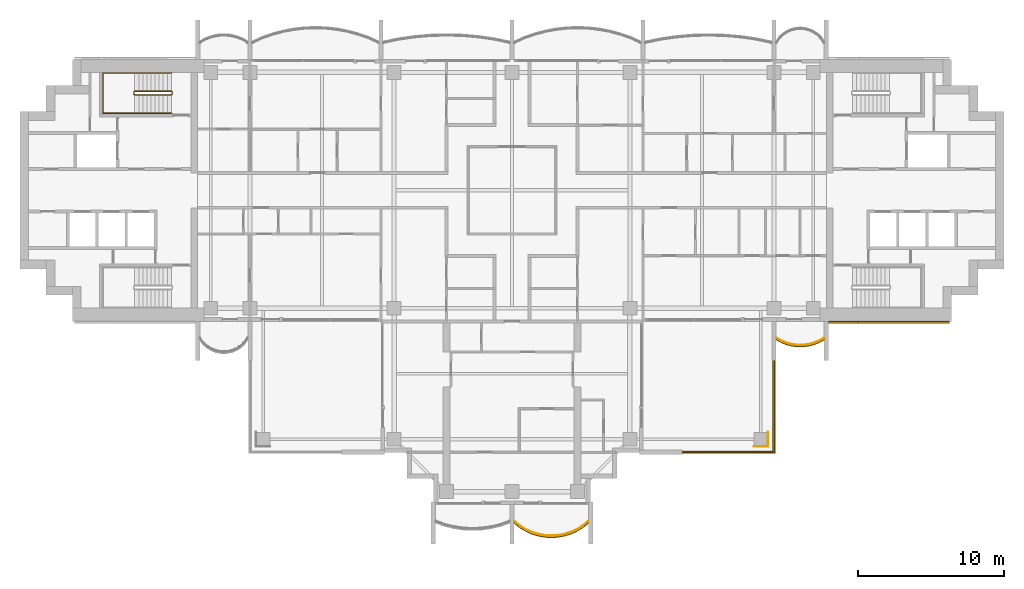
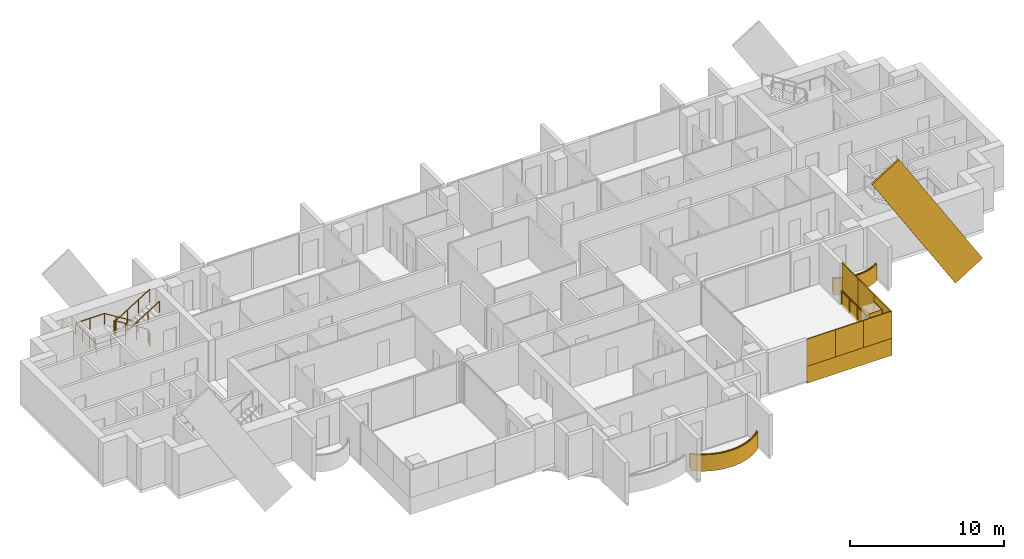
# One storey, part 16 of 18: 12 coverings, 5 railings.
"""IFC4 building model written with IfcOpenShell, lengths in metres."""

from ifc_helpers import new_model, si_unit, direction, frame, origin, origin_2d, place, context, subcontext, project, spatial, polyline, rectangle, outline, extrude, material, layer, layer_set, material_profile, profile_set, type_object, element, save


model = new_model("IFC4")

# Units and contexts
model_context = context("Model", 3, precision=1e-05, world=origin(), true_north=direction((0.0, 1.0)))
body_context = subcontext(model_context, "Body", "Model", "MODEL_VIEW")
ifc_project = project(units=[si_unit("LENGTHUNIT", "METRE"), si_unit("AREAUNIT", "SQUARE_METRE"), si_unit("VOLUMEUNIT", "CUBIC_METRE"), si_unit("PLANEANGLEUNIT", "RADIAN"), si_unit("MASSUNIT", "GRAM", prefix="KILO")], contexts=[model_context])

# Site, building, storey
site_placement = place(None, origin())
site = spatial("IfcSite", under=ifc_project, at=site_placement, CompositionType="ELEMENT")
building_placement = place(site_placement, origin())
building = spatial("IfcBuilding", under=site, at=building_placement, Name="Perihelion Cross Residences", CompositionType="ELEMENT")
storey_placement = place(building_placement, frame((0.0, 0.0, 177.10009765625)))
storey = spatial("IfcBuildingStorey", under=building, at=storey_placement, Name="L43", CompositionType="ELEMENT", Elevation=177.10009765625)

# Coverings
ifc_material_1 = material(Name="Bronze anodised aluminium", Category="aluminium")
ifc_layer_1 = layer(ifc_material_1, 0.070068359375)
ifc_layer_set_1 = layer_set([ifc_layer_1], Name="Balcony fascia 1300")
covering_type_1 = type_object("IfcCoveringType", Name="Balcony fascia 1300", PredefinedType="CLADDING", material=ifc_layer_set_1)
covering_1_placement = place(storey_placement, frame((0.0, 0.0, -0.2001953125)))
element("IfcCovering", 1, at=covering_1_placement, inside=storey, type_object=covering_type_1, Name="Fascia BF1 L43 south tip south bay 2", PredefinedType="CLADDING", context=body_context, shape_type="SweptSolid", body=[
    extrude(outline(polyline([(0.53515625, -23.197509765625), (0.96826171875, -23.455078125), (1.401123046875, -23.642578125), (1.833984375, -23.7705078125), (2.26708984375, -23.845458984375), (2.699951171875, -23.8701171875), (3.133056640625, -23.845458984375), (3.56591796875, -23.7705078125), (3.998779296875, -23.642578125), (4.431884765625, -23.455078125), (4.86474609375, -23.197509765625), (5.25, -22.8896484375), (5.25, -22.800048828125), (4.824951171875, -23.14013671875), (4.39990234375, -23.392578125), (3.97509765625, -23.57666015625), (3.550048828125, -23.702392578125), (3.125, -23.77587890625), (2.699951171875, -23.800048828125), (2.27490234375, -23.77587890625), (1.85009765625, -23.702392578125), (1.425048828125, -23.57666015625), (1.0, -23.392578125), (0.574951171875, -23.14013671875), (0.14990234375, -22.800048828125), (0.14990234375, -22.8896484375), (0.53515625, -23.197509765625)])), origin(), (0.0, 0.0, 1.0), 1.300048828125),
])
covering_2_placement = place(storey_placement, frame((0.0, 0.0, -0.2001953125)))
element("IfcCovering", 2, at=covering_2_placement, inside=storey, type_object=covering_type_1, Name="Fascia BF1 L43 east side south bay 2", PredefinedType="CLADDING", context=body_context, shape_type="SweptSolid", body=[
    extrude(outline(polyline([(18.486328125, -10.4716796875), (18.861572265625, -10.62158203125), (19.237060546875, -10.717529296875), (19.6123046875, -10.76416015625), (19.987548828125, -10.76416015625), (20.363037109375, -10.717529296875), (20.73828125, -10.62158203125), (21.11376953125, -10.4716796875), (21.449951171875, -10.280517578125), (21.449951171875, -10.199951171875), (21.083251953125, -10.40869140625), (20.716552734375, -10.55517578125), (20.35009765625, -10.648681640625), (19.9833984375, -10.6943359375), (19.61669921875, -10.6943359375), (19.25, -10.648681640625), (18.88330078125, -10.55517578125), (18.5166015625, -10.40869140625), (18.14990234375, -10.199951171875), (18.14990234375, -10.280517578125), (18.486328125, -10.4716796875)])), origin(), (0.0, 0.0, 1.0), 1.300048828125),
])

# Railings
ifc_material_2 = material(Name="Bronze anodised aluminium", Category="aluminium")
railing_type_1 = type_object("IfcRailingType", Name="Balcony guard 1100", PredefinedType="GUARDRAIL", material=ifc_material_2)
railing_1_placement = place(storey_placement, frame((0.175048828125, -22.739990234375, 0.0)))
element("IfcRailing", 3, at=railing_1_placement, inside=storey, type_object=railing_type_1, Name="Guard GU1 L43 south tip south bay 2 balcony", PredefinedType="GUARDRAIL", context=body_context, shape_type="SweptSolid", body=[
    extrude(rectangle(XDim=0.048095703125, YDim=0.048095703125, at=origin_2d()), frame((0.0, 0.0, 1.076171875), z_axis=(0.761778647315, -0.647837396648, 0.0), x_axis=(0.647837396648, 0.761778647315, 0.0)), (0.0, 0.0, 1.0), 0.52490234375),
    extrude(rectangle(XDim=0.048095703125, YDim=0.048095703125, at=origin_2d()), frame((0.39990234375, -0.340087890625, 1.076171875), z_axis=(0.859576918062, -0.511006381501, 0.0), x_axis=(0.511006381501, 0.859576918062, 0.0)), (0.0, 0.0, 1.0), 0.494384765625),
    extrude(rectangle(XDim=0.048095703125, YDim=0.048095703125, at=origin_2d()), frame((0.824951171875, -0.5927734375, 1.076171875), z_axis=(0.917831080218, -0.396971167952, 0.0), x_axis=(0.396971167952, 0.917831080218, 0.0)), (0.0, 0.0, 1.0), 0.463134765625),
    extrude(rectangle(XDim=0.048095703125, YDim=0.048095703125, at=origin_2d()), frame((1.25, -0.776611328125, 1.076171875), z_axis=(0.958925815697, -0.283656975924, 0.0), x_axis=(0.283656975924, 0.958925815697, 0.0)), (0.0, 0.0, 1.0), 0.443359375),
    extrude(rectangle(XDim=0.048095703125, YDim=0.048095703125, at=origin_2d()), frame((1.675048828125, -0.90234375, 1.076171875), z_axis=(0.985365142702, -0.170456843651, 0.0), x_axis=(0.170456843651, 0.985365142702, 0.0)), (0.0, 0.0, 1.0), 0.43115234375),
    extrude(rectangle(XDim=0.048095703125, YDim=0.048095703125, at=origin_2d()), frame((2.099853515625, -0.975830078125, 1.076171875), z_axis=(0.998387160354, -0.056772159032, 0.0), x_axis=(0.056772159032, 0.998387160354, 0.0)), (0.0, 0.0, 1.0), 0.42578125),
    extrude(rectangle(XDim=0.048095703125, YDim=0.048095703125, at=origin_2d()), frame((2.52490234375, -1.0, 1.076171875), z_axis=(0.998387160354, 0.056772159032, 0.0), x_axis=(-0.056772159032, 0.998387160354, 0.0)), (0.0, 0.0, 1.0), 0.42578125),
    extrude(rectangle(XDim=0.048095703125, YDim=0.048095703125, at=origin_2d()), frame((2.949951171875, -0.975830078125, 1.076171875), z_axis=(0.985381583142, 0.17036177859, 0.0), x_axis=(-0.17036177859, 0.985381583142, 0.0)), (0.0, 0.0, 1.0), 0.431396484375),
    extrude(rectangle(XDim=0.048095703125, YDim=0.048095703125, at=origin_2d()), frame((3.375, -0.90234375, 1.076171875), z_axis=(0.958925815697, 0.283656975924, 0.0), x_axis=(-0.283656975924, 0.958925815697, 0.0)), (0.0, 0.0, 1.0), 0.443359375),
    extrude(rectangle(XDim=0.048095703125, YDim=0.048095703125, at=origin_2d()), frame((3.800048828125, -0.776611328125, 1.076171875), z_axis=(0.917747942671, 0.397163333811, 0.0), x_axis=(-0.397163333811, 0.917747942671, 0.0)), (0.0, 0.0, 1.0), 0.462890625),
    extrude(rectangle(XDim=0.048095703125, YDim=0.048095703125, at=origin_2d()), frame((4.224853515625, -0.5927734375, 1.076171875), z_axis=(0.859576918062, 0.511006381501, 0.0), x_axis=(-0.511006381501, 0.859576918062, 0.0)), (0.0, 0.0, 1.0), 0.494384765625),
    extrude(rectangle(XDim=0.048095703125, YDim=0.048095703125, at=origin_2d()), frame((4.64990234375, -0.340087890625, 1.076171875), z_axis=(0.761973728849, 0.647607934281, 0.0), x_axis=(-0.647607934281, 0.761973728849, 0.0)), (0.0, 0.0, 1.0), 0.525146484375),
    extrude(rectangle(XDim=0.0419921875, YDim=0.0419921875, at=origin_2d()), origin(), (0.0, 0.0, 1.0), 1.052001953125),
    extrude(rectangle(XDim=0.0419921875, YDim=0.0419921875, at=origin_2d()), frame((0.39990234375, -0.340087890625, 0.0)), (0.0, 0.0, 1.0), 1.052001953125),
    extrude(rectangle(XDim=0.0419921875, YDim=0.0419921875, at=origin_2d()), frame((0.824951171875, -0.5927734375, 0.0)), (0.0, 0.0, 1.0), 1.052001953125),
    extrude(rectangle(XDim=0.0419921875, YDim=0.0419921875, at=origin_2d()), frame((1.25, -0.776611328125, 0.0)), (0.0, 0.0, 1.0), 1.052001953125),
    extrude(rectangle(XDim=0.0419921875, YDim=0.0419921875, at=origin_2d()), frame((1.675048828125, -0.90234375, 0.0)), (0.0, 0.0, 1.0), 1.052001953125),
    extrude(rectangle(XDim=0.0419921875, YDim=0.0419921875, at=origin_2d()), frame((2.099853515625, -0.975830078125, 0.0)), (0.0, 0.0, 1.0), 1.052001953125),
    extrude(rectangle(XDim=0.0419921875, YDim=0.0419921875, at=origin_2d()), frame((2.52490234375, -1.0, 0.0)), (0.0, 0.0, 1.0), 1.052001953125),
    extrude(rectangle(XDim=0.0419921875, YDim=0.0419921875, at=origin_2d()), frame((2.949951171875, -0.975830078125, 0.0)), (0.0, 0.0, 1.0), 1.052001953125),
    extrude(rectangle(XDim=0.0419921875, YDim=0.0419921875, at=origin_2d()), frame((3.375, -0.90234375, 0.0)), (0.0, 0.0, 1.0), 1.052001953125),
    extrude(rectangle(XDim=0.0419921875, YDim=0.0419921875, at=origin_2d()), frame((3.800048828125, -0.776611328125, 0.0)), (0.0, 0.0, 1.0), 1.052001953125),
    extrude(rectangle(XDim=0.0419921875, YDim=0.0419921875, at=origin_2d()), frame((4.224853515625, -0.5927734375, 0.0)), (0.0, 0.0, 1.0), 1.052001953125),
    extrude(rectangle(XDim=0.0419921875, YDim=0.0419921875, at=origin_2d()), frame((4.64990234375, -0.340087890625, 0.0)), (0.0, 0.0, 1.0), 1.052001953125),
    extrude(rectangle(XDim=0.0419921875, YDim=0.0419921875, at=origin_2d()), frame((5.050048828125, 0.0, 0.0)), (0.0, 0.0, 1.0), 1.052001953125),
])
railing_2_placement = place(storey_placement, frame((18.175048828125, -10.139892578125, 0.0)))
element("IfcRailing", 4, at=railing_2_placement, inside=storey, type_object=railing_type_1, Name="Guard GU1 L43 east side south bay 2 balcony", PredefinedType="GUARDRAIL", context=body_context, shape_type="SweptSolid", body=[
    extrude(rectangle(XDim=0.048095703125, YDim=0.048095703125, at=origin_2d()), frame((0.0, 0.0, 1.076171875), z_axis=(0.853266756821, -0.52147467983, 0.0), x_axis=(0.52147467983, 0.853266756821, 0.0)), (0.0, 0.0, 1.0), 0.400390625),
    extrude(rectangle(XDim=0.048095703125, YDim=0.048095703125, at=origin_2d()), frame((0.341552734375, -0.208740234375, 1.076171875), z_axis=(0.928647151248, -0.37096424151, 0.0), x_axis=(0.37096424151, 0.928647151248, 0.0)), (0.0, 0.0, 1.0), 0.394775390625),
    extrude(rectangle(XDim=0.048095703125, YDim=0.048095703125, at=origin_2d()), frame((0.708251953125, -0.355224609375, 1.076171875), z_axis=(0.968993337782, -0.247086849781, 0.0), x_axis=(0.247086849781, 0.968993337782, 0.0)), (0.0, 0.0, 1.0), 0.37841796875),
    extrude(rectangle(XDim=0.048095703125, YDim=0.048095703125, at=origin_2d()), frame((1.074951171875, -0.44873046875, 1.076171875), z_axis=(0.992338742457, -0.123546834114, 0.0), x_axis=(0.123546834114, 0.992338742457, 0.0)), (0.0, 0.0, 1.0), 0.36962890625),
    extrude(rectangle(XDim=0.048095703125, YDim=0.048095703125, at=origin_2d()), frame((1.441650390625, -0.494384765625, 1.076171875), z_axis=(1.0, 0.0, 0.0), x_axis=(0.0, 1.0, 0.0)), (0.0, 0.0, 1.0), 0.36669921875),
    extrude(rectangle(XDim=0.048095703125, YDim=0.048095703125, at=origin_2d()), frame((1.808349609375, -0.494384765625, 1.076171875), z_axis=(0.992338742457, 0.123546834114, 0.0), x_axis=(-0.123546834114, 0.992338742457, 0.0)), (0.0, 0.0, 1.0), 0.36962890625),
    extrude(rectangle(XDim=0.048095703125, YDim=0.048095703125, at=origin_2d()), frame((2.175048828125, -0.44873046875, 1.076171875), z_axis=(0.968953914071, 0.247241405123, 0.0), x_axis=(-0.247241405123, 0.968953914071, 0.0)), (0.0, 0.0, 1.0), 0.378173828125),
    extrude(rectangle(XDim=0.048095703125, YDim=0.048095703125, at=origin_2d()), frame((2.54150390625, -0.355224609375, 1.076171875), z_axis=(0.928647151248, 0.37096424151, 0.0), x_axis=(-0.37096424151, 0.928647151248, 0.0)), (0.0, 0.0, 1.0), 0.394775390625),
    extrude(rectangle(XDim=0.048095703125, YDim=0.048095703125, at=origin_2d()), frame((2.908203125, -0.208740234375, 1.076171875), z_axis=(0.853432484338, 0.521203410078, 0.0), x_axis=(-0.521203410078, 0.853432484338, 0.0)), (0.0, 0.0, 1.0), 0.400390625),
    extrude(rectangle(XDim=0.0419921875, YDim=0.0419921875, at=origin_2d()), origin(), (0.0, 0.0, 1.0), 1.052001953125),
    extrude(rectangle(XDim=0.0419921875, YDim=0.0419921875, at=origin_2d()), frame((0.341552734375, -0.208740234375, 0.0)), (0.0, 0.0, 1.0), 1.052001953125),
    extrude(rectangle(XDim=0.0419921875, YDim=0.0419921875, at=origin_2d()), frame((0.708251953125, -0.355224609375, 0.0)), (0.0, 0.0, 1.0), 1.052001953125),
    extrude(rectangle(XDim=0.0419921875, YDim=0.0419921875, at=origin_2d()), frame((1.074951171875, -0.44873046875, 0.0)), (0.0, 0.0, 1.0), 1.052001953125),
    extrude(rectangle(XDim=0.0419921875, YDim=0.0419921875, at=origin_2d()), frame((1.441650390625, -0.494384765625, 0.0)), (0.0, 0.0, 1.0), 1.052001953125),
    extrude(rectangle(XDim=0.0419921875, YDim=0.0419921875, at=origin_2d()), frame((1.808349609375, -0.494384765625, 0.0)), (0.0, 0.0, 1.0), 1.052001953125),
    extrude(rectangle(XDim=0.0419921875, YDim=0.0419921875, at=origin_2d()), frame((2.175048828125, -0.44873046875, 0.0)), (0.0, 0.0, 1.0), 1.052001953125),
    extrude(rectangle(XDim=0.0419921875, YDim=0.0419921875, at=origin_2d()), frame((2.54150390625, -0.355224609375, 0.0)), (0.0, 0.0, 1.0), 1.052001953125),
    extrude(rectangle(XDim=0.0419921875, YDim=0.0419921875, at=origin_2d()), frame((2.908203125, -0.208740234375, 0.0)), (0.0, 0.0, 1.0), 1.052001953125),
    extrude(rectangle(XDim=0.0419921875, YDim=0.0419921875, at=origin_2d()), frame((3.25, 0.0, 0.0)), (0.0, 0.0, 1.0), 1.052001953125),
])
railing_3_placement = place(storey_placement, frame((17.93994140625, -11.739990234375, 0.0)))
element("IfcRailing", 5, at=railing_3_placement, inside=storey, type_object=railing_type_1, Name="Guard GU1 L43 pocket south-east 1", PredefinedType="GUARDRAIL", context=body_context, shape_type="SweptSolid", body=[
    extrude(rectangle(XDim=0.048095703125, YDim=0.048095703125, at=origin_2d()), frame((0.0, 0.0, 1.076171875), z_axis=(0.0, -1.0, 0.0), x_axis=(1.0, 0.0, 0.0)), (0.0, 0.0, 1.0), 6.199951171875),
    extrude(rectangle(XDim=0.048095703125, YDim=0.048095703125, at=origin_2d()), frame((0.0, -6.199951171875, 1.076171875), z_axis=(-1.0, 0.0, 0.0), x_axis=(0.0, -1.0, 0.0)), (0.0, 0.0, 1.0), 6.199951171875),
    extrude(rectangle(XDim=0.0419921875, YDim=0.0419921875, at=origin_2d()), origin(), (0.0, 0.0, 1.0), 1.052001953125),
    extrude(rectangle(XDim=0.0419921875, YDim=0.0419921875, at=origin_2d()), frame((0.0, -1.033203125, 0.0)), (0.0, 0.0, 1.0), 1.052001953125),
    extrude(rectangle(XDim=0.0419921875, YDim=0.0419921875, at=origin_2d()), frame((0.0, -2.066650390625, 0.0)), (0.0, 0.0, 1.0), 1.052001953125),
    extrude(rectangle(XDim=0.0419921875, YDim=0.0419921875, at=origin_2d()), frame((0.0, -3.10009765625, 0.0)), (0.0, 0.0, 1.0), 1.052001953125),
    extrude(rectangle(XDim=0.0419921875, YDim=0.0419921875, at=origin_2d()), frame((0.0, -4.13330078125, 0.0)), (0.0, 0.0, 1.0), 1.052001953125),
    extrude(rectangle(XDim=0.0419921875, YDim=0.0419921875, at=origin_2d()), frame((0.0, -5.16650390625, 0.0)), (0.0, 0.0, 1.0), 1.052001953125),
    extrude(rectangle(XDim=0.0419921875, YDim=0.0419921875, at=origin_2d()), frame((0.0, -6.199951171875, 0.0)), (0.0, 0.0, 1.0), 1.052001953125),
    extrude(rectangle(XDim=0.0419921875, YDim=0.0419921875, at=origin_2d()), frame((-1.033203125, -6.199951171875, 0.0)), (0.0, 0.0, 1.0), 1.052001953125),
    extrude(rectangle(XDim=0.0419921875, YDim=0.0419921875, at=origin_2d()), frame((-2.066650390625, -6.199951171875, 0.0)), (0.0, 0.0, 1.0), 1.052001953125),
    extrude(rectangle(XDim=0.0419921875, YDim=0.0419921875, at=origin_2d()), frame((-3.10009765625, -6.199951171875, 0.0)), (0.0, 0.0, 1.0), 1.052001953125),
    extrude(rectangle(XDim=0.0419921875, YDim=0.0419921875, at=origin_2d()), frame((-4.13330078125, -6.199951171875, 0.0)), (0.0, 0.0, 1.0), 1.052001953125),
    extrude(rectangle(XDim=0.0419921875, YDim=0.0419921875, at=origin_2d()), frame((-5.16650390625, -6.199951171875, 0.0)), (0.0, 0.0, 1.0), 1.052001953125),
    extrude(rectangle(XDim=0.0419921875, YDim=0.0419921875, at=origin_2d()), frame((-6.199951171875, -6.199951171875, 0.0)), (0.0, 0.0, 1.0), 1.052001953125),
])

# Coverings
ifc_material_3 = material(Name="Bronze anodised aluminium", Category="aluminium")
ifc_material_profile = material_profile(ifc_material_3, rectangle(XDim=0.125, YDim=2.39990234375, at=origin_2d()), Name="Bronze cladding band 2400")
ifc_profile_set = profile_set([ifc_material_profile], Name="Bronze anodised aluminium")
covering_type_2 = type_object("IfcCoveringType", Name="Bronze cladding band 2400", PredefinedType="CLADDING", material=ifc_profile_set)
covering_3_placement = place(storey_placement, frame((29.0322265625, -9.0625, -2.805419921875), z_axis=(-0.529915403603, 0.0, 0.848050508534), x_axis=(0.0, -1.0, 0.0)))
element("IfcCovering", 6, at=covering_3_placement, inside=storey, type_object=covering_type_2, Name="Core cladding band, east core", PredefinedType="CLADDING", context=body_context, shape_type="SweptSolid", body=[
    extrude(rectangle(XDim=0.125, YDim=2.39990234375, at=origin_2d()), origin(), (0.0, 0.0, 1.0), 11.822021484375),
])
ifc_material_4 = material(Name="Bronze anodised aluminium", Category="aluminium")
ifc_layer_2 = layer(ifc_material_4, 0.0400390625)
ifc_layer_set_2 = layer_set([ifc_layer_2], Name="Bronze column casing 40")
covering_type_3 = type_object("IfcCoveringType", Name="Bronze column casing 40", PredefinedType="CLADDING", material=ifc_layer_set_2)
covering_4_placement = place(storey_placement, frame((17.594970703125, -17.10009765625, -0.25), z_axis=(0.0, 0.0, 1.0), x_axis=(1.0, 0.0, 0.0)))
element("IfcCovering", 7, at=covering_4_placement, inside=storey, type_object=covering_type_3, Name="Cladding CC1 L43 casing east-west no. 2", PredefinedType="CLADDING", context=body_context, shape_type="SweptSolid", body=[
    extrude(rectangle(XDim=0.0400390625, YDim=1.030029296875, at=origin_2d()), origin(), (0.0, 0.0, 1.0), 3.5),
])
covering_5_placement = place(storey_placement, frame((17.10009765625, -17.594970703125, -0.25), z_axis=(0.0, 0.0, 1.0), x_axis=(1.0, 0.0, 0.0)))
element("IfcCovering", 8, at=covering_5_placement, inside=storey, type_object=covering_type_3, Name="Cladding CC1 L43 casing north-south no. 2", PredefinedType="CLADDING", context=body_context, shape_type="SweptSolid", body=[
    extrude(rectangle(XDim=0.949951171875, YDim=0.0400390625, at=origin_2d()), origin(), (0.0, 0.0, 1.0), 3.5),
])
ifc_material_5 = material(Name="Bronze anodised aluminium", Category="aluminium")
ifc_layer_3 = layer(ifc_material_5, 0.070068359375)
ifc_layer_set_3 = layer_set([ifc_layer_3], Name="Pocket fascia 1350")
covering_type_4 = type_object("IfcCoveringType", Name="Pocket fascia 1350", PredefinedType="CLADDING", material=ifc_layer_set_3)
covering_6_placement = place(storey_placement, frame((0.0, 0.0, -0.25)))
element("IfcCovering", 9, at=covering_6_placement, inside=storey, type_object=covering_type_4, Name="Fascia BF2 L43 pocket south-east 3", PredefinedType="CLADDING", context=body_context, shape_type="SweptSolid", body=[
    extrude(outline(polyline([(18.070068359375, -18.070068359375), (18.070068359375, -11.699951171875), (18.0, -11.699951171875), (18.0, -18.0), (11.699951171875, -18.0), (11.699951171875, -18.070068359375), (18.070068359375, -18.070068359375)])), origin(), (0.0, 0.0, 1.0), 1.349853515625),
])
ifc_material_6 = material(Name="Bronze perforated aluminium", Category="aluminium")
ifc_layer_4 = layer(ifc_material_6, 0.070068359375)
ifc_layer_set_4 = layer_set([ifc_layer_4], Name="Pocket solar screen, bronze perforated")
covering_type_5 = type_object("IfcCoveringType", Name="Pocket solar screen, bronze perforated", PredefinedType="CLADDING", material=ifc_layer_set_4)
covering_7_placement = place(storey_placement, frame((0.0, 0.0, 1.099853515625)))
element("IfcCovering", 10, at=covering_7_placement, inside=storey, type_object=covering_type_5, Name="Solar screen PS1 L43 pocket south-east no. 1", PredefinedType="CLADDING", context=body_context, shape_type="SweptSolid", body=[
    extrude(outline(polyline([(18.070068359375, -18.0), (18.070068359375, -15.89990234375), (18.0, -15.89990234375), (18.0, -18.0), (18.070068359375, -18.0)])), origin(), (0.0, 0.0, 1.0), 2.150146484375),
])
covering_8_placement = place(storey_placement, frame((0.0, 0.0, 1.099853515625)))
element("IfcCovering", 11, at=covering_8_placement, inside=storey, type_object=covering_type_5, Name="Solar screen PS1 L43 pocket south-east no. 2", PredefinedType="CLADDING", context=body_context, shape_type="SweptSolid", body=[
    extrude(outline(polyline([(18.070068359375, -15.89990234375), (18.070068359375, -13.800048828125), (18.0, -13.800048828125), (18.0, -15.89990234375), (18.070068359375, -15.89990234375)])), origin(), (0.0, 0.0, 1.0), 2.150146484375),
])
covering_9_placement = place(storey_placement, frame((0.0, 0.0, 1.099853515625)))
element("IfcCovering", 12, at=covering_9_placement, inside=storey, type_object=covering_type_5, Name="Solar screen PS1 L43 pocket south-east no. 3", PredefinedType="CLADDING", context=body_context, shape_type="SweptSolid", body=[
    extrude(outline(polyline([(18.070068359375, -13.800048828125), (18.070068359375, -11.699951171875), (18.0, -11.699951171875), (18.0, -13.800048828125), (18.070068359375, -13.800048828125)])), origin(), (0.0, 0.0, 1.0), 2.150146484375),
])
covering_10_placement = place(storey_placement, frame((0.0, 0.0, 1.099853515625)))
element("IfcCovering", 13, at=covering_10_placement, inside=storey, type_object=covering_type_5, Name="Solar screen PS1 L43 pocket south-east no. 4", PredefinedType="CLADDING", context=body_context, shape_type="SweptSolid", body=[
    extrude(outline(polyline([(13.8232421875, -18.070068359375), (13.8232421875, -18.0), (11.699951171875, -18.0), (11.699951171875, -18.070068359375), (13.8232421875, -18.070068359375)])), origin(), (0.0, 0.0, 1.0), 2.150146484375),
])
covering_11_placement = place(storey_placement, frame((0.0, 0.0, 1.099853515625)))
element("IfcCovering", 14, at=covering_11_placement, inside=storey, type_object=covering_type_5, Name="Solar screen PS1 L43 pocket south-east no. 5", PredefinedType="CLADDING", context=body_context, shape_type="SweptSolid", body=[
    extrude(outline(polyline([(15.94677734375, -18.070068359375), (15.94677734375, -18.0), (13.8232421875, -18.0), (13.8232421875, -18.070068359375), (15.94677734375, -18.070068359375)])), origin(), (0.0, 0.0, 1.0), 2.150146484375),
])
covering_12_placement = place(storey_placement, frame((0.0, 0.0, 1.099853515625)))
element("IfcCovering", 15, at=covering_12_placement, inside=storey, type_object=covering_type_5, Name="Solar screen PS1 L43 pocket south-east no. 6", PredefinedType="CLADDING", context=body_context, shape_type="SweptSolid", body=[
    extrude(outline(polyline([(18.070068359375, -18.070068359375), (18.070068359375, -18.0), (15.94677734375, -18.0), (15.94677734375, -18.070068359375), (18.070068359375, -18.070068359375)])), origin(), (0.0, 0.0, 1.0), 2.150146484375),
])

# Railings
ifc_material_7 = material(Name="Stainless steel", Category="steel")
railing_type_2 = type_object("IfcRailingType", Name="Stair guard 1100", PredefinedType="GUARDRAIL", material=ifc_material_7)
railing_4_placement = place(storey_placement, frame((-23.35009765625, 6.60009765625, 0.0)))
element("IfcRailing", 16, at=railing_4_placement, inside=storey, type_object=railing_type_2, Name="L43 ST-W1 stair guard 1", PredefinedType="GUARDRAIL", context=body_context, shape_type="SweptSolid", body=[
    extrude(rectangle(XDim=0.048095703125, YDim=0.048095703125, at=origin_2d()), frame((0.0, 0.0, 1.076171875), z_axis=(0.0, 1.0, 0.0), x_axis=(-1.0, 0.0, 0.0)), (0.0, 0.0, 1.0), 0.14990234375),
    extrude(rectangle(XDim=0.048095703125, YDim=0.048095703125, at=origin_2d()), frame((0.0, 0.14990234375, 1.076171875), z_axis=(-0.264179342666, 0.265474339444, 0.927217692888), x_axis=(-0.708833529934, -0.705375805398, 0.0)), (0.0, 0.0, 1.0), 0.1884765625),
    extrude(rectangle(XDim=0.048095703125, YDim=0.048095703125, at=origin_2d()), frame((-0.0498046875, 0.199951171875, 1.2509765625), z_axis=(-0.847970611238, 0.0, 0.530043245855), x_axis=(0.0, -1.0, 0.0)), (0.0, 0.0, 1.0), 2.971923828125),
    extrude(rectangle(XDim=0.048095703125, YDim=0.048095703125, at=origin_2d()), frame((-2.56982421875, 0.199951171875, 2.826171875), z_axis=(-0.707106781187, -0.707106781187, 0.0), x_axis=(0.707106781187, -0.707106781187, 0.0)), (0.0, 0.0, 1.0), 0.07080078125),
    extrude(rectangle(XDim=0.048095703125, YDim=0.048095703125, at=origin_2d()), frame((-2.619873046875, 0.14990234375, 2.826171875), z_axis=(0.0, -1.0, 0.0), x_axis=(1.0, 0.0, 0.0)), (0.0, 0.0, 1.0), 0.14990234375),
    extrude(rectangle(XDim=0.048095703125, YDim=0.048095703125, at=origin_2d()), frame((-2.619873046875, 0.0, 2.826171875), z_axis=(0.265383341853, -0.265383341853, 0.926899867156), x_axis=(0.707106781187, 0.707106781187, 0.0)), (0.0, 0.0, 1.0), 0.1884765625),
    extrude(rectangle(XDim=0.048095703125, YDim=0.048095703125, at=origin_2d()), frame((-2.56982421875, -0.050048828125, 3.0009765625), z_axis=(0.847970611238, 0.0, 0.530043245855), x_axis=(0.0, 1.0, 0.0)), (0.0, 0.0, 1.0), 2.971923828125),
    extrude(rectangle(XDim=0.0419921875, YDim=0.0419921875, at=origin_2d()), origin(), (0.0, 0.0, 1.0), 1.052001953125),
    extrude(rectangle(XDim=0.0419921875, YDim=0.0419921875, at=origin_2d()), frame((0.0, 0.14990234375, 0.0)), (0.0, 0.0, 1.0), 1.052001953125),
    extrude(rectangle(XDim=0.0419921875, YDim=0.0419921875, at=origin_2d()), frame((-0.0498046875, 0.199951171875, 0.1748046875)), (0.0, 0.0, 1.0), 1.052001953125),
    extrude(rectangle(XDim=0.0419921875, YDim=0.0419921875, at=origin_2d()), frame((-0.889892578125, 0.199951171875, 0.699951171875)), (0.0, 0.0, 1.0), 1.052001953125),
    extrude(rectangle(XDim=0.0419921875, YDim=0.0419921875, at=origin_2d()), frame((-1.729736328125, 0.199951171875, 1.224853515625)), (0.0, 0.0, 1.0), 1.052001953125),
    extrude(rectangle(XDim=0.0419921875, YDim=0.0419921875, at=origin_2d()), frame((-2.56982421875, 0.199951171875, 1.75)), (0.0, 0.0, 1.0), 1.052001953125),
    extrude(rectangle(XDim=0.0419921875, YDim=0.0419921875, at=origin_2d()), frame((-2.619873046875, 0.14990234375, 1.75)), (0.0, 0.0, 1.0), 1.052001953125),
    extrude(rectangle(XDim=0.0419921875, YDim=0.0419921875, at=origin_2d()), frame((-2.619873046875, 0.0, 1.75)), (0.0, 0.0, 1.0), 1.052001953125),
    extrude(rectangle(XDim=0.0419921875, YDim=0.0419921875, at=origin_2d()), frame((-2.56982421875, -0.050048828125, 1.9248046875)), (0.0, 0.0, 1.0), 1.052001953125),
    extrude(rectangle(XDim=0.0419921875, YDim=0.0419921875, at=origin_2d()), frame((-1.729736328125, -0.050048828125, 2.449951171875)), (0.0, 0.0, 1.0), 1.052001953125),
    extrude(rectangle(XDim=0.0419921875, YDim=0.0419921875, at=origin_2d()), frame((-0.889892578125, -0.050048828125, 2.974853515625)), (0.0, 0.0, 1.0), 1.052001953125),
    extrude(rectangle(XDim=0.0419921875, YDim=0.0419921875, at=origin_2d()), frame((-0.0498046875, -0.050048828125, 3.5)), (0.0, 0.0, 1.0), 1.052001953125),
])
ifc_material_8 = material(Name="Stainless steel", Category="steel")
railing_type_3 = type_object("IfcRailingType", Name="Stair handrail 900", PredefinedType="HANDRAIL", material=ifc_material_8)
railing_5_placement = place(storey_placement, frame((-23.39990234375, 8.050048828125, 0.1748046875)))
element("IfcRailing", 17, at=railing_5_placement, inside=storey, type_object=railing_type_3, Name="L43 ST-W1 stair handrail 1", PredefinedType="HANDRAIL", context=body_context, shape_type="SweptSolid", body=[
    extrude(rectangle(XDim=0.048095703125, YDim=0.048095703125, at=origin_2d()), frame((0.0, 0.0, 0.8759765625), z_axis=(-0.847970611238, 0.0, 0.530043245855), x_axis=(0.0, -1.0, 0.0)), (0.0, 0.0, 1.0), 2.971923828125),
    extrude(rectangle(XDim=0.048095703125, YDim=0.048095703125, at=origin_2d()), frame((-2.52001953125, 0.0, 2.451171875), z_axis=(-1.0, 0.0, 0.0), x_axis=(0.0, -1.0, 0.0)), (0.0, 0.0, 1.0), 2.18017578125),
    extrude(rectangle(XDim=0.048095703125, YDim=0.048095703125, at=origin_2d()), frame((-4.7001953125, 0.0, 2.451171875), z_axis=(0.0, -1.0, 0.0), x_axis=(1.0, 0.0, 0.0)), (0.0, 0.0, 1.0), 2.75),
    extrude(rectangle(XDim=0.048095703125, YDim=0.048095703125, at=origin_2d()), frame((-4.7001953125, -2.75, 2.451171875), z_axis=(1.0, 0.0, 0.0), x_axis=(0.0, 1.0, 0.0)), (0.0, 0.0, 1.0), 2.18017578125),
    extrude(rectangle(XDim=0.048095703125, YDim=0.048095703125, at=origin_2d()), frame((-2.52001953125, -2.75, 2.451171875), z_axis=(0.0, 0.0, 1.0), x_axis=(1.0, 0.0, 0.0)), (0.0, 0.0, 1.0), 0.1748046875),
    extrude(rectangle(XDim=0.048095703125, YDim=0.048095703125, at=origin_2d()), frame((-2.52001953125, -2.75, 2.6259765625), z_axis=(0.847970611238, 0.0, 0.530043245855), x_axis=(0.0, 1.0, 0.0)), (0.0, 0.0, 1.0), 2.971923828125),
    extrude(rectangle(XDim=0.0419921875, YDim=0.0419921875, at=origin_2d()), origin(), (0.0, 0.0, 1.0), 0.851806640625),
    extrude(rectangle(XDim=0.0419921875, YDim=0.0419921875, at=origin_2d()), frame((-0.840087890625, 0.0, 0.525146484375)), (0.0, 0.0, 1.0), 0.851806640625),
    extrude(rectangle(XDim=0.0419921875, YDim=0.0419921875, at=origin_2d()), frame((-1.679931640625, 0.0, 1.050048828125)), (0.0, 0.0, 1.0), 0.851806640625),
    extrude(rectangle(XDim=0.0419921875, YDim=0.0419921875, at=origin_2d()), frame((-2.52001953125, 0.0, 1.5751953125)), (0.0, 0.0, 1.0), 0.851806640625),
    extrude(rectangle(XDim=0.0419921875, YDim=0.0419921875, at=origin_2d()), frame((-3.610107421875, 0.0, 1.5751953125)), (0.0, 0.0, 1.0), 0.851806640625),
    extrude(rectangle(XDim=0.0419921875, YDim=0.0419921875, at=origin_2d()), frame((-4.7001953125, 0.0, 1.5751953125)), (0.0, 0.0, 1.0), 0.851806640625),
    extrude(rectangle(XDim=0.0419921875, YDim=0.0419921875, at=origin_2d()), frame((-4.7001953125, -0.916748046875, 1.5751953125)), (0.0, 0.0, 1.0), 0.851806640625),
    extrude(rectangle(XDim=0.0419921875, YDim=0.0419921875, at=origin_2d()), frame((-4.7001953125, -1.833251953125, 1.5751953125)), (0.0, 0.0, 1.0), 0.851806640625),
    extrude(rectangle(XDim=0.0419921875, YDim=0.0419921875, at=origin_2d()), frame((-4.7001953125, -2.75, 1.5751953125)), (0.0, 0.0, 1.0), 0.851806640625),
    extrude(rectangle(XDim=0.0419921875, YDim=0.0419921875, at=origin_2d()), frame((-3.610107421875, -2.75, 1.5751953125)), (0.0, 0.0, 1.0), 0.851806640625),
    extrude(rectangle(XDim=0.0419921875, YDim=0.0419921875, at=origin_2d()), frame((-2.52001953125, -2.75, 1.5751953125)), (0.0, 0.0, 1.0), 0.851806640625),
    extrude(rectangle(XDim=0.0419921875, YDim=0.0419921875, at=origin_2d()), frame((-2.52001953125, -2.75, 1.75)), (0.0, 0.0, 1.0), 0.851806640625),
    extrude(rectangle(XDim=0.0419921875, YDim=0.0419921875, at=origin_2d()), frame((-1.679931640625, -2.75, 2.275146484375)), (0.0, 0.0, 1.0), 0.851806640625),
    extrude(rectangle(XDim=0.0419921875, YDim=0.0419921875, at=origin_2d()), frame((-0.840087890625, -2.75, 2.800048828125)), (0.0, 0.0, 1.0), 0.851806640625),
    extrude(rectangle(XDim=0.0419921875, YDim=0.0419921875, at=origin_2d()), frame((0.0, -2.75, 3.3251953125)), (0.0, 0.0, 1.0), 0.851806640625),
])

save(model, "model.ifc")
